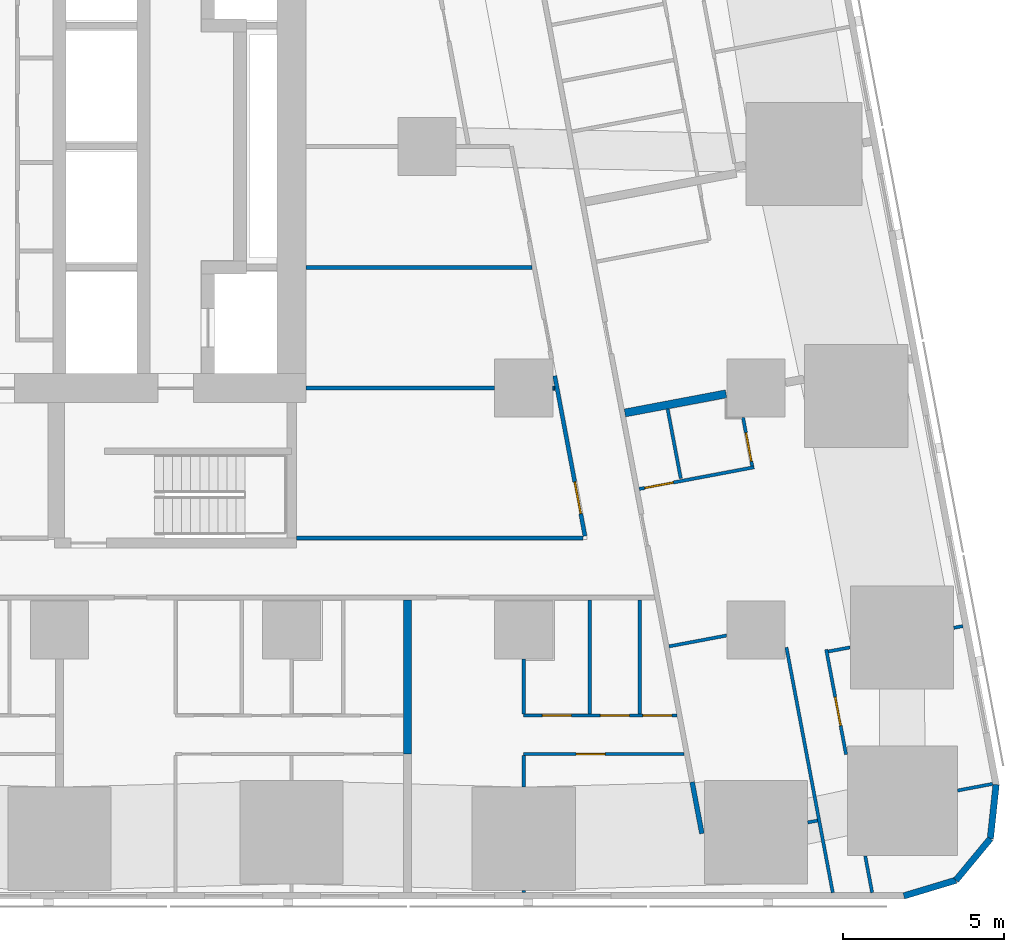
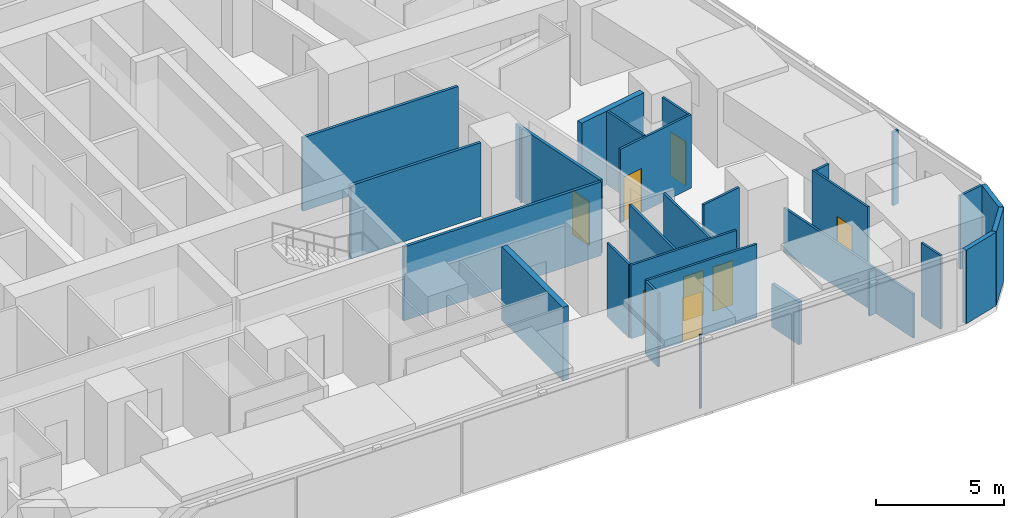
# One storey, part 8 of 17: 29 walls, 8 doors, 8 openings.
"""IFC4 building model written with IfcOpenShell, lengths in metres."""

from ifc_helpers import new_model, si_unit, direction, frame, frame_2d, origin, place, context, subcontext, project, spatial, rectangle, extrude, material, layer, layer_set, type_object, element, fill, save


model = new_model("IFC4")

# Units and contexts
model_context = context("Model", 3, precision=1e-05, world=origin(), true_north=direction((0.0, 1.0)))
body_context = subcontext(model_context, "Body", "Model", "MODEL_VIEW")
ifc_project = project(units=[si_unit("LENGTHUNIT", "METRE"), si_unit("AREAUNIT", "SQUARE_METRE"), si_unit("VOLUMEUNIT", "CUBIC_METRE"), si_unit("PLANEANGLEUNIT", "RADIAN"), si_unit("MASSUNIT", "GRAM", prefix="KILO")], contexts=[model_context])

# Site, building, storey
site_placement = place(None, origin())
site = spatial("IfcSite", under=ifc_project, at=site_placement, CompositionType="ELEMENT")
building_placement = place(site_placement, origin())
building = spatial("IfcBuilding", under=site, at=building_placement, Name="Sheger Commons Tower", CompositionType="ELEMENT")
storey_placement = place(building_placement, frame((0.0, 0.0, 27.5)))
storey = spatial("IfcBuildingStorey", under=building, at=storey_placement, Name="L06", CompositionType="ELEMENT", Elevation=27.5)

# Walls
ifc_material_1 = material(Name="Hollow concrete block masonry, skimmed both sides", Category="masonry")
ifc_layer_1 = layer(ifc_material_1, 0.14990234375)
ifc_layer_set_1 = layer_set([ifc_layer_1], Name="CORRIDOR WALL 150")
wall_type_1 = type_object("IfcWallType", Name="CORRIDOR WALL 150", PredefinedType="SOLIDWALL", material=ifc_layer_set_1)
wall_1_placement = place(storey_placement, frame((41.22412109375, 2.782958984375, 0.0), z_axis=(0.0, 0.0, 1.0), x_axis=(0.185566507215, -0.982631706897, 0.0)))
element("IfcWall", 1, at=wall_1_placement, inside=storey, type_object=wall_type_1, Name="Corridor wall L06", PredefinedType="SOLIDWALL", context=body_context, shape_type="SweptSolid", body=[
    extrude(rectangle(XDim=1.626220703125, YDim=0.14990234375, at=frame_2d((0.81298828125, 0.0))), origin(), (0.0, 0.0, 1.0), 2.050048828125),
])
ifc_material_2 = material(Name="Dense concrete block masonry, plastered both sides (separating wall between flats)", Category="masonry")
ifc_layer_2 = layer(ifc_material_2, 0.25)
ifc_layer_set_2 = layer_set([ifc_layer_2], Name="DEMISING WALL 250")
wall_type_2 = type_object("IfcWallType", Name="DEMISING WALL 250", PredefinedType="SOLIDWALL", material=ifc_layer_set_2)
wall_2_placement = place(storey_placement, frame((32.39990234375, 3.64990234375, 0.0), z_axis=(0.0, 0.0, 1.0), x_axis=(0.0, 1.0, 0.0)))
element("IfcWall", 2, at=wall_2_placement, inside=storey, type_object=wall_type_2, Name="Demising wall L06", PredefinedType="SOLIDWALL", context=body_context, shape_type="SweptSolid", body=[
    extrude(rectangle(XDim=4.775146484375, YDim=0.25, at=frame_2d((2.3876953125, 0.0))), origin(), (0.0, 0.0, 1.0), 3.5),
])
wall_3_placement = place(storey_placement, frame((42.27587890625, 14.824951171875, 0.0), z_axis=(0.0, 0.0, 1.0), x_axis=(-0.982607211054, -0.185696173318, 0.0)))
element("IfcWall", 3, at=wall_3_placement, inside=storey, type_object=wall_type_2, Name="Demising wall L06", PredefinedType="SOLIDWALL", context=body_context, shape_type="SweptSolid", body=[
    extrude(rectangle(XDim=3.193603515625, YDim=0.25, at=frame_2d((1.5966796875, 0.0))), origin(), (0.0, 0.0, 1.0), 3.5),
])
ifc_material_3 = material(Name="Rendered concrete block masonry, dark grey", Category="masonry")
ifc_layer_3 = layer(ifc_material_3, 0.199951171875)
ifc_layer_set_3 = layer_set([ifc_layer_3], Name="FACADE WALL 200")
wall_type_3 = type_object("IfcWallType", Name="FACADE WALL 200", PredefinedType="SOLIDWALL", material=ifc_layer_set_3)
wall_4_placement = place(storey_placement, frame((47.791015625, -0.75, 0.0), z_axis=(0.0, 0.0, 1.0), x_axis=(0.957455232626, 0.288581838509, 0.0)))
element("IfcWall", 4, at=wall_4_placement, inside=storey, type_object=wall_type_3, Name="Facade wall L06", PredefinedType="SOLIDWALL", context=body_context, shape_type="SweptSolid", body=[
    extrude(rectangle(XDim=1.687744140625, YDim=0.199951171875, at=frame_2d((0.84375, 0.0))), origin(), (0.0, 0.0, 1.0), 3.5),
])
wall_5_placement = place(storey_placement, frame((49.406982421875, -0.262939453125, 0.0), z_axis=(0.0, 0.0, 1.0), x_axis=(0.638042593423, 0.770001070764, 0.0)))
element("IfcWall", 5, at=wall_5_placement, inside=storey, type_object=wall_type_3, Name="Facade wall L06", PredefinedType="SOLIDWALL", context=body_context, shape_type="SweptSolid", body=[
    extrude(rectangle(XDim=1.672607421875, YDim=0.199951171875, at=frame_2d((0.83642578125, 0.0))), origin(), (0.0, 0.0, 1.0), 3.5),
])
wall_6_placement = place(storey_placement, frame((50.47412109375, 1.02490234375, 0.0), z_axis=(0.0, 0.0, 1.0), x_axis=(0.106047815515, 0.994361031429, 0.0)))
element("IfcWall", 6, at=wall_6_placement, inside=storey, type_object=wall_type_3, Name="Facade wall L06", PredefinedType="SOLIDWALL", context=body_context, shape_type="SweptSolid", body=[
    extrude(rectangle(XDim=1.6875, YDim=0.199951171875, at=frame_2d((0.84375, 0.0))), origin(), (0.0, 0.0, 1.0), 3.5),
])

# Wall, opening, door
ifc_material_4 = material(Name="Gypsum board on steel studs", Category="steel")
ifc_layer_4 = layer(ifc_material_4, 0.10009765625)
ifc_layer_set_4 = layer_set([ifc_layer_4], Name="PARTITION 100")
wall_type_4 = type_object("IfcWallType", Name="PARTITION 100", PredefinedType="PARTITIONING", material=ifc_layer_set_4)
wall_7_placement = place(storey_placement, frame((40.97509765625, 3.64990234375, 0.0), z_axis=(0.0, 0.0, 1.0), x_axis=(-1.0, 0.0, 0.0)))
wall_7 = element("IfcWall", 7, at=wall_7_placement, inside=storey, type_object=wall_type_4, Name="Partition L06", PredefinedType="PARTITIONING", context=body_context, shape_type="SweptSolid", body=[
    extrude(rectangle(XDim=4.97509765625, YDim=0.10009765625, at=frame_2d((2.487548828125, 0.0))), origin(), (0.0, 0.0, 1.0), 3.5),
])
opening_1_placement = place(wall_7_placement, frame((2.449951171875, 0.0, 0.0)))
opening_1 = element("IfcOpeningElement", 8, at=opening_1_placement, cuts=wall_7, Name="Opening D2", PredefinedType="OPENING", context=body_context, shape_type="SweptSolid", body=[
    extrude(rectangle(XDim=0.89990234375, YDim=2.10009765625, at=frame_2d((0.449951171875, 1.050048828125))), frame((0.0, 0.06005859375, 0.0), z_axis=(0.0, -1.0, 0.0), x_axis=(1.0, 0.0, 0.0)), (0.0, 0.0, 1.0), 0.1201171875),
])
ifc_material_5 = material(Name="Timber door set", Category="wood")
door_type_1 = type_object("IfcDoorType", Name="INTERNAL DOOR 900x2100", OperationType="NOTDEFINED", PredefinedType="DOOR", material=ifc_material_5)
door_1_placement = place(opening_1_placement, origin())
door_1 = element("IfcDoor", 9, at=door_1_placement, inside=storey, type_object=door_type_1, Name="Main bedroom door", OperationType="SINGLE_SWING_RIGHT", OverallHeight=2.10009765625, OverallWidth=0.89990234375, PredefinedType="DOOR", context=body_context, shape_type="SweptSolid", body=[
    extrude(rectangle(XDim=0.89990234375, YDim=2.10009765625, at=frame_2d((0.449951171875, 1.050048828125))), frame((0.0, 0.02490234375, 0.0), z_axis=(0.0, -1.0, 0.0), x_axis=(1.0, 0.0, 0.0)), (0.0, 0.0, 1.0), 0.050048828125),
])
fill(opening_1, door_1)

# Wall, openings, doors
wall_8_placement = place(storey_placement, frame((40.748046875, 4.85009765625, 0.0), z_axis=(0.0, 0.0, 1.0), x_axis=(-1.0, 0.0, 0.0)))
wall_8 = element("IfcWall", 10, at=wall_8_placement, inside=storey, type_object=wall_type_4, Name="Partition L06", PredefinedType="PARTITIONING", context=body_context, shape_type="SweptSolid", body=[
    extrude(rectangle(XDim=4.748046875, YDim=0.10009765625, at=frame_2d((2.3740234375, 0.0))), origin(), (0.0, 0.0, 1.0), 3.5),
])
opening_2_placement = place(wall_8_placement, frame((3.27294921875, 0.0, 0.0)))
opening_2 = element("IfcOpeningElement", 11, at=opening_2_placement, cuts=wall_8, Name="Opening D2", PredefinedType="OPENING", context=body_context, shape_type="SweptSolid", body=[
    extrude(rectangle(XDim=0.89990234375, YDim=2.10009765625, at=frame_2d((0.449951171875, 1.050048828125))), frame((0.0, 0.06005859375, 0.0), z_axis=(0.0, -1.0, 0.0), x_axis=(1.0, 0.0, 0.0)), (0.0, 0.0, 1.0), 0.1201171875),
])
opening_3_placement = place(wall_8_placement, frame((0.14990234375, 0.0, 0.0)))
opening_3 = element("IfcOpeningElement", 12, at=opening_3_placement, cuts=wall_8, Name="Opening D2", PredefinedType="OPENING", context=body_context, shape_type="SweptSolid", body=[
    extrude(rectangle(XDim=0.89990234375, YDim=2.10009765625, at=frame_2d((0.449951171875, 1.050048828125))), frame((0.0, 0.06005859375, 0.0), z_axis=(0.0, -1.0, 0.0), x_axis=(1.0, 0.0, 0.0)), (0.0, 0.0, 1.0), 0.1201171875),
])
opening_4_placement = place(wall_8_placement, frame((1.472900390625, 0.0, 0.0)))
opening_4 = element("IfcOpeningElement", 13, at=opening_4_placement, cuts=wall_8, Name="Opening D2", PredefinedType="OPENING", context=body_context, shape_type="SweptSolid", body=[
    extrude(rectangle(XDim=0.89990234375, YDim=2.10009765625, at=frame_2d((0.449951171875, 1.050048828125))), frame((0.0, 0.06005859375, 0.0), z_axis=(0.0, -1.0, 0.0), x_axis=(1.0, 0.0, 0.0)), (0.0, 0.0, 1.0), 0.1201171875),
])
door_2_placement = place(opening_2_placement, origin())
door_2 = element("IfcDoor", 14, at=door_2_placement, inside=storey, type_object=door_type_1, Name="Bathroom door", OperationType="SINGLE_SWING_LEFT", OverallHeight=2.10009765625, OverallWidth=0.89990234375, PredefinedType="DOOR", context=body_context, shape_type="SweptSolid", body=[
    extrude(rectangle(XDim=0.89990234375, YDim=2.10009765625, at=frame_2d((0.449951171875, 1.050048828125))), frame((0.0, 0.02490234375, 0.0), z_axis=(0.0, -1.0, 0.0), x_axis=(1.0, 0.0, 0.0)), (0.0, 0.0, 1.0), 0.050048828125),
])
fill(opening_2, door_2)
door_3_placement = place(opening_3_placement, origin())
door_3 = element("IfcDoor", 15, at=door_3_placement, inside=storey, type_object=door_type_1, Name="Laundry room door", OperationType="SINGLE_SWING_RIGHT", OverallHeight=2.10009765625, OverallWidth=0.89990234375, PredefinedType="DOOR", context=body_context, shape_type="SweptSolid", body=[
    extrude(rectangle(XDim=0.89990234375, YDim=2.10009765625, at=frame_2d((0.449951171875, 1.050048828125))), frame((0.0, 0.02490234375, 0.0), z_axis=(0.0, -1.0, 0.0), x_axis=(1.0, 0.0, 0.0)), (0.0, 0.0, 1.0), 0.050048828125),
])
fill(opening_3, door_3)
door_4_placement = place(opening_4_placement, origin())
door_4 = element("IfcDoor", 16, at=door_4_placement, inside=storey, type_object=door_type_1, Name="Store door", OperationType="SINGLE_SWING_LEFT", OverallHeight=2.10009765625, OverallWidth=0.89990234375, PredefinedType="DOOR", context=body_context, shape_type="SweptSolid", body=[
    extrude(rectangle(XDim=0.89990234375, YDim=2.10009765625, at=frame_2d((0.449951171875, 1.050048828125))), frame((0.0, 0.02490234375, 0.0), z_axis=(0.0, -1.0, 0.0), x_axis=(1.0, 0.0, 0.0)), (0.0, 0.0, 1.0), 0.050048828125),
])
fill(opening_4, door_4)

# Walls
wall_9_placement = place(storey_placement, frame((36.0, -0.64990234375, 0.0), z_axis=(0.0, 0.0, 1.0), x_axis=(0.0, 1.0, 0.0)))
element("IfcWall", 17, at=wall_9_placement, inside=storey, type_object=wall_type_4, Name="Partition L06", PredefinedType="PARTITIONING", context=body_context, shape_type="SweptSolid", body=[
    extrude(rectangle(XDim=0.073974609375, YDim=0.10009765625, at=frame_2d((0.037109375, 0.0))), origin(), (0.0, 0.0, 1.0), 3.5),
])
wall_10_placement = place(storey_placement, frame((36.0, 2.6259765625, 0.0), z_axis=(0.0, 0.0, 1.0), x_axis=(0.0, 1.0, 0.0)))
element("IfcWall", 18, at=wall_10_placement, inside=storey, type_object=wall_type_4, Name="Partition L06", PredefinedType="PARTITIONING", context=body_context, shape_type="SweptSolid", body=[
    extrude(rectangle(XDim=0.97412109375, YDim=0.10009765625, at=frame_2d((0.487060546875, 0.0))), origin(), (0.0, 0.0, 1.0), 3.5),
])
wall_11_placement = place(storey_placement, frame((36.0, 4.89990234375, 0.0), z_axis=(0.0, 0.0, 1.0), x_axis=(0.0, 1.0, 0.0)))
element("IfcWall", 19, at=wall_11_placement, inside=storey, type_object=wall_type_4, Name="Partition L06", PredefinedType="PARTITIONING", context=body_context, shape_type="SweptSolid", body=[
    extrude(rectangle(XDim=1.69921875, YDim=0.10009765625, at=frame_2d((0.849609375, 0.0))), origin(), (0.0, 0.0, 1.0), 3.5),
])
for number, where, z_axis, x_axis, name in (
    (20, (39.60009765625, 4.89990234375, 0.0), (0.0, 0.0, 1.0), (0.0, 1.0, 0.0), "Partition L06"),
    (21, (38.050048828125, 4.89990234375, 0.0), (0.0, 0.0, 1.0), (0.0, 1.0, 0.0), "Partition L06"),
):
    element("IfcWall", number, at=place(storey_placement, frame(where, z_axis=z_axis, x_axis=x_axis)), inside=storey, type_object=wall_type_4, Name=name, PredefinedType="PARTITIONING", context=body_context, shape_type="SweptSolid", body=[
        extrude(rectangle(XDim=3.525146484375, YDim=0.10009765625, at=frame_2d((1.7626953125, 0.0))), origin(), (0.0, 0.0, 1.0), 3.5),
    ])

# Wall, opening, door
wall_12_placement = place(storey_placement, frame((42.802978515625, 14.090087890625, 0.0), z_axis=(0.0, 0.0, 1.0), x_axis=(0.185608486942, -0.982623778246, 0.0)))
wall_12 = element("IfcWall", 22, at=wall_12_placement, inside=storey, type_object=wall_type_4, Name="Partition L06", PredefinedType="PARTITIONING", context=body_context, shape_type="SweptSolid", body=[
    extrude(rectangle(XDim=1.52978515625, YDim=0.10009765625, at=frame_2d((0.764892578125, 0.0))), origin(), (0.0, 0.0, 1.0), 3.5),
])
opening_5_placement = place(wall_12_placement, frame((0.47998046875, 0.0, 0.0)))
opening_5 = element("IfcOpeningElement", 23, at=opening_5_placement, cuts=wall_12, Name="Opening D2", PredefinedType="OPENING", context=body_context, shape_type="SweptSolid", body=[
    extrude(rectangle(XDim=0.89990234375, YDim=2.10009765625, at=frame_2d((0.449951171875, 1.050048828125))), frame((0.0, 0.06005859375, 0.0), z_axis=(0.0, -1.0, 0.0), x_axis=(1.0, 0.0, 0.0)), (0.0, 0.0, 1.0), 0.1201171875),
])
door_5_placement = place(opening_5_placement, origin())
door_5 = element("IfcDoor", 24, at=door_5_placement, inside=storey, type_object=door_type_1, Name="Shower room door", OperationType="SINGLE_SWING_LEFT", OverallHeight=2.10009765625, OverallWidth=0.89990234375, PredefinedType="DOOR", context=body_context, shape_type="SweptSolid", body=[
    extrude(rectangle(XDim=0.89990234375, YDim=2.10009765625, at=frame_2d((0.449951171875, 1.050048828125))), frame((0.0, 0.02490234375, 0.0), z_axis=(0.0, -1.0, 0.0), x_axis=(1.0, 0.0, 0.0)), (0.0, 0.0, 1.0), 0.050048828125),
])
fill(opening_5, door_5)

wall_13_placement = place(storey_placement, frame((43.14501953125, 12.547119140625, 0.0), z_axis=(0.0, 0.0, 1.0), x_axis=(-0.982610451136, -0.185679027675, 0.0)))
wall_13 = element("IfcWall", 25, at=wall_13_placement, inside=storey, type_object=wall_type_4, Name="Partition L06", PredefinedType="PARTITIONING", context=body_context, shape_type="SweptSolid", body=[
    extrude(rectangle(XDim=3.625, YDim=0.10009765625, at=frame_2d((1.8125, 0.0))), origin(), (0.0, 0.0, 1.0), 3.5),
])
opening_6_placement = place(wall_13_placement, frame((2.550048828125, 0.0, 0.0)))
opening_6 = element("IfcOpeningElement", 26, at=opening_6_placement, cuts=wall_13, Name="Opening D2", PredefinedType="OPENING", context=body_context, shape_type="SweptSolid", body=[
    extrude(rectangle(XDim=0.89990234375, YDim=2.10009765625, at=frame_2d((0.449951171875, 1.050048828125))), frame((0.0, 0.06005859375, 0.0), z_axis=(0.0, -1.0, 0.0), x_axis=(1.0, 0.0, 0.0)), (0.0, 0.0, 1.0), 0.1201171875),
])
door_6_placement = place(opening_6_placement, origin())
door_6 = element("IfcDoor", 27, at=door_6_placement, inside=storey, type_object=door_type_1, Name="Store door", OperationType="SINGLE_SWING_LEFT", OverallHeight=2.10009765625, OverallWidth=0.89990234375, PredefinedType="DOOR", context=body_context, shape_type="SweptSolid", body=[
    extrude(rectangle(XDim=0.89990234375, YDim=2.10009765625, at=frame_2d((0.449951171875, 1.050048828125))), frame((0.0, 0.02490234375, 0.0), z_axis=(0.0, -1.0, 0.0), x_axis=(1.0, 0.0, 0.0)), (0.0, 0.0, 1.0), 0.050048828125),
])
fill(opening_6, door_6)

# Wall
wall_14_placement = place(storey_placement, frame((40.462890625, 14.35498046875, 0.0), z_axis=(0.0, 0.0, 1.0), x_axis=(0.185760900029, -0.98259497659, 0.0)))
element("IfcWall", 28, at=wall_14_placement, inside=storey, type_object=wall_type_4, Name="Partition L06", PredefinedType="PARTITIONING", context=body_context, shape_type="SweptSolid", body=[
    extrude(rectangle(XDim=2.192138671875, YDim=0.10009765625, at=frame_2d((1.09619140625, 0.0))), origin(), (0.0, 0.0, 1.0), 3.5),
])

# Wall, opening, door
wall_15_placement = place(storey_placement, frame((45.383056640625, 6.89404296875, 0.0), z_axis=(0.0, 0.0, 1.0), x_axis=(0.185714962489, -0.982603660032, 0.0)))
wall_15 = element("IfcWall", 29, at=wall_15_placement, inside=storey, type_object=wall_type_4, Name="Partition L06", PredefinedType="PARTITIONING", context=body_context, shape_type="SweptSolid", body=[
    extrude(rectangle(XDim=3.316650390625, YDim=0.10009765625, at=frame_2d((1.658203125, 0.0))), origin(), (0.0, 0.0, 1.0), 3.5),
])
opening_7_placement = place(wall_15_placement, frame((1.5, 0.0, 0.0)))
opening_7 = element("IfcOpeningElement", 30, at=opening_7_placement, cuts=wall_15, Name="Opening D2", PredefinedType="OPENING", context=body_context, shape_type="SweptSolid", body=[
    extrude(rectangle(XDim=0.89990234375, YDim=2.10009765625, at=frame_2d((0.449951171875, 1.050048828125))), frame((0.0, 0.06005859375, 0.0), z_axis=(0.0, -1.0, 0.0), x_axis=(1.0, 0.0, 0.0)), (0.0, 0.0, 1.0), 0.1201171875),
])
door_7_placement = place(opening_7_placement, origin())
door_7 = element("IfcDoor", 31, at=door_7_placement, inside=storey, type_object=door_type_1, Name="Main bedroom door", OperationType="SINGLE_SWING_RIGHT", OverallHeight=2.10009765625, OverallWidth=0.89990234375, PredefinedType="DOOR", context=body_context, shape_type="SweptSolid", body=[
    extrude(rectangle(XDim=0.89990234375, YDim=2.10009765625, at=frame_2d((0.449951171875, 1.050048828125))), frame((0.0, 0.02490234375, 0.0), z_axis=(0.0, -1.0, 0.0), x_axis=(1.0, 0.0, 0.0)), (0.0, 0.0, 1.0), 0.050048828125),
])
fill(opening_7, door_7)

# Walls
wall_16_placement = place(storey_placement, frame((46.593017578125, 0.487060546875, 0.0), z_axis=(0.0, 0.0, 1.0), x_axis=(0.185880657422, -0.982572328735, 0.0)))
element("IfcWall", 32, at=wall_16_placement, inside=storey, type_object=wall_type_4, Name="Partition L06", PredefinedType="PARTITIONING", context=body_context, shape_type="SweptSolid", body=[
    extrude(rectangle(XDim=1.1572265625, YDim=0.10009765625, at=frame_2d((0.57861328125, 0.0))), origin(), (0.0, 0.0, 1.0), 3.5),
])
wall_17_placement = place(storey_placement, frame((44.14892578125, 6.9599609375, 0.0), z_axis=(0.0, 0.0, 1.0), x_axis=(0.185677796828, -0.982610683722, 0.0)))
element("IfcWall", 33, at=wall_17_placement, inside=storey, type_object=wall_type_4, Name="Partition L06", PredefinedType="PARTITIONING", context=body_context, shape_type="SweptSolid", body=[
    extrude(rectangle(XDim=7.74462890625, YDim=0.10009765625, at=frame_2d((3.872314453125, 0.0))), origin(), (0.0, 0.0, 1.0), 2.10009765625),
])
wall_18_placement = place(storey_placement, frame((49.6220703125, 7.6201171875, 0.0), z_axis=(0.0, 0.0, 1.0), x_axis=(-0.982649953213, -0.185469861299, 0.0)))
element("IfcWall", 34, at=wall_18_placement, inside=storey, type_object=wall_type_4, Name="Partition L06", PredefinedType="PARTITIONING", context=body_context, shape_type="SweptSolid", body=[
    extrude(rectangle(XDim=0.286865234375, YDim=0.10009765625, at=frame_2d((0.1435546875, 0.0))), origin(), (0.0, 0.0, 1.0), 3.5),
])
wall_19_placement = place(storey_placement, frame((46.1201171875, 6.958984375, 0.0), z_axis=(0.0, 0.0, 1.0), x_axis=(-0.982722777639, -0.185083608972, 0.0)))
element("IfcWall", 35, at=wall_19_placement, inside=storey, type_object=wall_type_4, Name="Partition L06", PredefinedType="PARTITIONING", context=body_context, shape_type="SweptSolid", body=[
    extrude(rectangle(XDim=0.68603515625, YDim=0.10009765625, at=frame_2d((0.343017578125, 0.0))), origin(), (0.0, 0.0, 1.0), 3.5),
])
wall_20_placement = place(storey_placement, frame((50.547119140625, 2.72607421875, 0.0), z_axis=(0.0, 0.0, 1.0), x_axis=(-0.982569158372, -0.185897415303, 0.0)))
element("IfcWall", 36, at=wall_20_placement, inside=storey, type_object=wall_type_4, Name="Partition L06", PredefinedType="PARTITIONING", context=body_context, shape_type="SweptSolid", body=[
    extrude(rectangle(XDim=1.1083984375, YDim=0.10009765625, at=frame_2d((0.55419921875, 0.0))), origin(), (0.0, 0.0, 1.0), 3.5),
])
wall_21_placement = place(storey_placement, frame((42.2900390625, 7.327880859375, 0.0), z_axis=(0.0, 0.0, 1.0), x_axis=(-0.98262927905, -0.185579362952, 0.0)))
element("IfcWall", 37, at=wall_21_placement, inside=storey, type_object=wall_type_4, Name="Partition L06", PredefinedType="PARTITIONING", context=body_context, shape_type="SweptSolid", body=[
    extrude(rectangle(XDim=1.8154296875, YDim=0.10009765625, at=frame_2d((0.90771484375, 0.0))), origin(), (0.0, 0.0, 1.0), 3.5),
])
wall_22_placement = place(storey_placement, frame((45.114013671875, 1.5869140625, 0.0), z_axis=(0.0, 0.0, 1.0), x_axis=(-0.982934694903, -0.183954846516, 0.0)))
element("IfcWall", 38, at=wall_22_placement, inside=storey, type_object=wall_type_4, Name="Partition L06", PredefinedType="PARTITIONING", context=body_context, shape_type="SweptSolid", body=[
    extrude(rectangle(XDim=0.309326171875, YDim=0.10009765625, at=frame_2d((0.15478515625, 0.0))), origin(), (0.0, 0.0, 1.0), 2.10009765625),
])
ifc_material_6 = material(Name="Gypsum board on steel studs, two layers each side, fire rated", Category="steel")
ifc_layer_5 = layer(ifc_material_6, 0.125)
ifc_layer_set_5 = layer_set([ifc_layer_5], Name="SERVICE WALL 125")
wall_type_5 = type_object("IfcWallType", Name="SERVICE WALL 125", PredefinedType="PARTITIONING", material=ifc_layer_set_5)
wall_23_placement = place(storey_placement, frame((28.949951171875, 10.35009765625, 0.0), z_axis=(0.0, 0.0, 1.0), x_axis=(1.0, 0.0, 0.0)))
element("IfcWall", 39, at=wall_23_placement, inside=storey, type_object=wall_type_5, Name="Service room wall L06", PredefinedType="PARTITIONING", context=body_context, shape_type="SweptSolid", body=[
    extrude(rectangle(XDim=8.885986328125, YDim=0.125, at=frame_2d((4.44287109375, 0.0))), origin(), (0.0, 0.0, 1.0), 3.5),
])

# Wall, opening, door
wall_24_placement = place(storey_placement, frame((37.89990234375, 10.4130859375, 0.0), z_axis=(0.0, 0.0, 1.0), x_axis=(-0.185527510388, 0.982639070508, 0.0)))
wall_24 = element("IfcWall", 40, at=wall_24_placement, inside=storey, type_object=wall_type_5, Name="Service room wall L06", PredefinedType="PARTITIONING", context=body_context, shape_type="SweptSolid", body=[
    extrude(rectangle(XDim=5.055908203125, YDim=0.125, at=frame_2d((2.52783203125, 0.0))), origin(), (0.0, 0.0, 1.0), 3.5),
])
opening_8_placement = place(wall_24_placement, frame((0.7080078125, 0.0, 0.0)))
opening_8 = element("IfcOpeningElement", 41, at=opening_8_placement, cuts=wall_24, Name="Opening D4", PredefinedType="OPENING", context=body_context, shape_type="SweptSolid", body=[
    extrude(rectangle(XDim=1.0, YDim=2.10009765625, at=frame_2d((0.5, 1.050048828125))), frame((0.0, 0.072509765625, 0.0), z_axis=(0.0, -1.0, 0.0), x_axis=(1.0, 0.0, 0.0)), (0.0, 0.0, 1.0), 0.14501953125),
])
ifc_material_7 = material(Name="Steel door set, fire rated", Category="steel")
door_type_2 = type_object("IfcDoorType", Name="SERVICE DOOR 1000x2100", OperationType="NOTDEFINED", PredefinedType="DOOR", material=ifc_material_7)
door_8_placement = place(opening_8_placement, origin())
door_8 = element("IfcDoor", 42, at=door_8_placement, inside=storey, type_object=door_type_2, Name="Residents' study room door", OperationType="SINGLE_SWING_LEFT", OverallHeight=2.10009765625, OverallWidth=1.0, PredefinedType="DOOR", context=body_context, shape_type="SweptSolid", body=[
    extrude(rectangle(XDim=1.0, YDim=2.10009765625, at=frame_2d((0.5, 1.050048828125))), frame((0.0, 0.02490234375, 0.0), z_axis=(0.0, -1.0, 0.0), x_axis=(1.0, 0.0, 0.0)), (0.0, 0.0, 1.0), 0.050048828125),
])
fill(opening_8, door_8)

# Walls
wall_25_placement = place(storey_placement, frame((29.25, 15.0, 0.0), z_axis=(0.0, 0.0, 1.0), x_axis=(1.0, 0.0, 0.0)))
element("IfcWall", 43, at=wall_25_placement, inside=storey, type_object=wall_type_5, Name="Service room wall L06", PredefinedType="PARTITIONING", context=body_context, shape_type="SweptSolid", body=[
    extrude(rectangle(XDim=5.84912109375, YDim=0.125, at=frame_2d((2.924560546875, 0.0))), origin(), (0.0, 0.0, 1.0), 3.5),
])
wall_26_placement = place(storey_placement, frame((36.90087890625, 15.0, 0.0), z_axis=(0.0, 0.0, 1.0), x_axis=(1.0, 0.0, 0.0)))
element("IfcWall", 44, at=wall_26_placement, inside=storey, type_object=wall_type_5, Name="Service room wall L06", PredefinedType="PARTITIONING", context=body_context, shape_type="SweptSolid", body=[
    extrude(rectangle(XDim=0.05712890625, YDim=0.125, at=frame_2d((0.028564453125, 0.0))), origin(), (0.0, 0.0, 1.0), 3.5),
])
wall_27_placement = place(storey_placement, frame((29.25, 18.75, 0.0), z_axis=(0.0, 0.0, 1.0), x_axis=(1.0, 0.0, 0.0)))
element("IfcWall", 45, at=wall_27_placement, inside=storey, type_object=wall_type_5, Name="Service room wall L06", PredefinedType="PARTITIONING", context=body_context, shape_type="SweptSolid", body=[
    extrude(rectangle(XDim=7.0, YDim=0.125, at=frame_2d((3.5, 0.0))), origin(), (0.0, 0.0, 1.0), 3.5),
])

save(model, "model.ifc")
